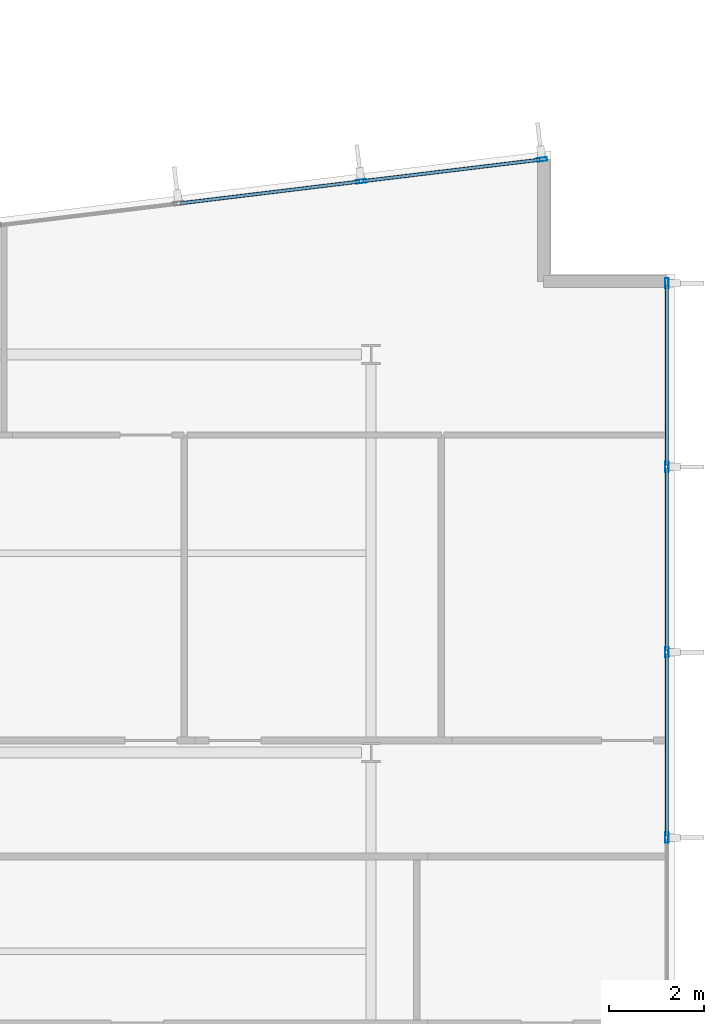
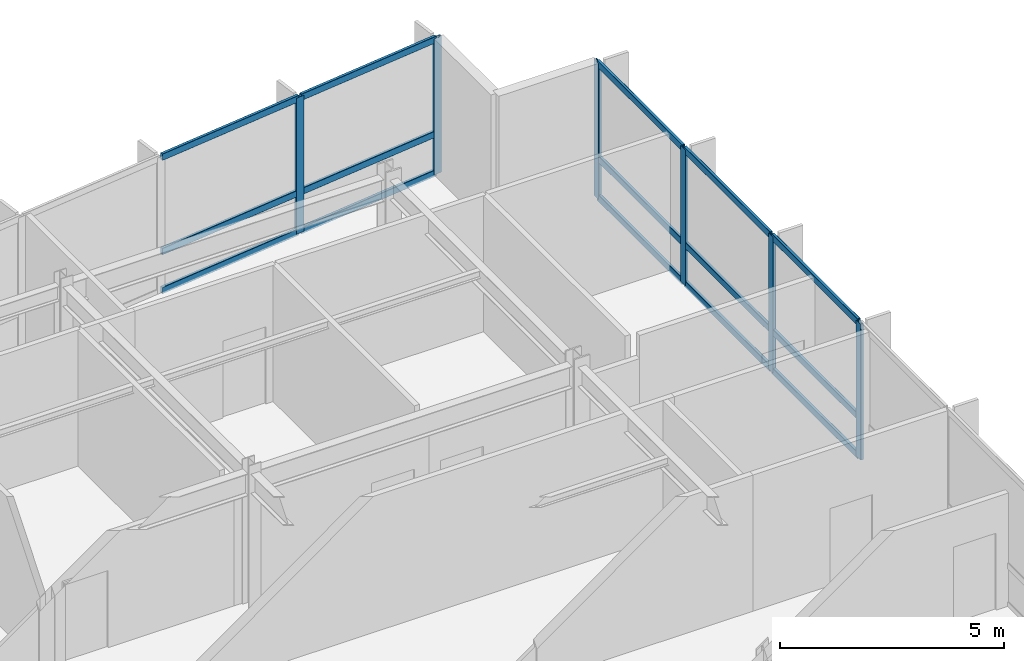
# One storey, part 8 of 19: 21 members, 2 elements without a shape of their own.
"""IFC4 building model written with IfcOpenShell, lengths in metres."""

from ifc_helpers import new_model, si_unit, direction, frame, origin, origin_2d, place, context, subcontext, project, spatial, hollow_rectangle, extrude, material, layer, layer_set, material_profile, profile_set, type_object, element, aggregate, save


model = new_model("IFC4")

# Units and contexts
model_context = context("Model", 3, precision=1e-05, world=origin(), true_north=direction((0.0, 1.0)))
body_context = subcontext(model_context, "Body", "Model", "MODEL_VIEW")
ifc_project = project(units=[si_unit("LENGTHUNIT", "METRE"), si_unit("AREAUNIT", "SQUARE_METRE"), si_unit("VOLUMEUNIT", "CUBIC_METRE"), si_unit("PLANEANGLEUNIT", "RADIAN"), si_unit("MASSUNIT", "GRAM", prefix="KILO")], contexts=[model_context])

# Site, building, storey
site_placement = place(None, origin())
site = spatial("IfcSite", under=ifc_project, at=site_placement, CompositionType="ELEMENT")
building_placement = place(site_placement, origin())
building = spatial("IfcBuilding", under=site, at=building_placement, Name="Varnakote Quay Hospital", CompositionType="ELEMENT")
storey_placement = place(building_placement, frame((0.0, 0.0, 115.199951171875)))
storey = spatial("IfcBuildingStorey", under=building, at=storey_placement, Name="L28", CompositionType="ELEMENT", Elevation=115.199951171875)

# Curtain wall, members
ifc_material_1 = material(Name="Anodised aluminium 6063-T6 Bronze", Category="aluminium")
ifc_layer = layer(ifc_material_1, 0.205078125)
ifc_layer_set = layer_set([ifc_layer], Name="Anodised aluminium 6063-T6 Bronze")
curtain_wall_type = type_object("IfcCurtainWallType", Name="CW-SYS-3", PredefinedType="NOTDEFINED", material=ifc_layer_set)
curtain_wall_1_placement = place(storey_placement, origin())
curtain_wall_1 = element("IfcCurtainWall", 1, at=curtain_wall_1_placement, inside=storey, type_object=curtain_wall_type, Name="L28 Unitised Bronze Curtain Wall 1", PredefinedType="NOTDEFINED")
ifc_material_2 = material(Name="Anodised aluminium 6063-T6 Bronze", Category="aluminium")
ifc_material_profile_1 = material_profile(ifc_material_2, hollow_rectangle(XDim=0.074951171875, YDim=0.219970703125, WallThickness=0.00439453125, InnerFilletRadius=0.00439453125, OuterFilletRadius=0.009033203125, at=origin_2d()), Name="CW-MULL-220x75")
ifc_profile_set_1 = profile_set([ifc_material_profile_1], Name="Anodised aluminium 6063-T6 Bronze")
member_type_1 = type_object("IfcMemberType", Name="CW-MULL-220x75", PredefinedType="MULLION", material=ifc_profile_set_1)
member_1_placement = place(storey_placement, frame((56.639892578125, 18.60009765625, 0.0), z_axis=(0.0, 0.0, 1.0), x_axis=(-1.0, 0.0, 0.0)))
member_1 = element("IfcMember", 2, at=member_1_placement, type_object=member_type_1, Name="-3-L28-1 mullion 4", PredefinedType="MULLION", context=body_context, shape_type="SweptSolid", body=[
    extrude(hollow_rectangle(XDim=0.074951171875, YDim=0.219970703125, WallThickness=0.00439453125, InnerFilletRadius=0.00439453125, OuterFilletRadius=0.009033203125, at=origin_2d()), origin(), (0.0, 0.0, 1.0), 3.7099609375),
])
member_2_placement = place(storey_placement, frame((56.639892578125, 22.513427734375, 0.0), z_axis=(0.0, 0.0, 1.0), x_axis=(-1.0, 0.0, 0.0)))
member_2 = element("IfcMember", 3, at=member_2_placement, type_object=member_type_1, Name="-3-L28-1 mullion 5", PredefinedType="MULLION", context=body_context, shape_type="SweptSolid", body=[
    extrude(hollow_rectangle(XDim=0.074951171875, YDim=0.219970703125, WallThickness=0.00439453125, InnerFilletRadius=0.00439453125, OuterFilletRadius=0.009033203125, at=origin_2d()), origin(), (0.0, 0.0, 1.0), 3.7099609375),
])
member_3_placement = place(storey_placement, frame((56.639892578125, 26.4267578125, 0.0), z_axis=(0.0, 0.0, 1.0), x_axis=(-1.0, 0.0, 0.0)))
member_3 = element("IfcMember", 4, at=member_3_placement, type_object=member_type_1, Name="-3-L28-1 mullion 6", PredefinedType="MULLION", context=body_context, shape_type="SweptSolid", body=[
    extrude(hollow_rectangle(XDim=0.074951171875, YDim=0.219970703125, WallThickness=0.00439453125, InnerFilletRadius=0.00439453125, OuterFilletRadius=0.009033203125, at=origin_2d()), origin(), (0.0, 0.0, 1.0), 3.7099609375),
])
member_4_placement = place(storey_placement, frame((56.639892578125, 30.302490234375, 0.0), z_axis=(0.0, 0.0, 1.0), x_axis=(-1.0, 0.0, 0.0)))
member_4 = element("IfcMember", 5, at=member_4_placement, type_object=member_type_1, Name="-3-L28-1 mullion 7", PredefinedType="MULLION", context=body_context, shape_type="SweptSolid", body=[
    extrude(hollow_rectangle(XDim=0.074951171875, YDim=0.219970703125, WallThickness=0.00439453125, InnerFilletRadius=0.00439453125, OuterFilletRadius=0.009033203125, at=origin_2d()), origin(), (0.0, 0.0, 1.0), 3.7099609375),
])

curtain_wall_2_placement = place(storey_placement, origin())
curtain_wall_2 = element("IfcCurtainWall", 6, at=curtain_wall_2_placement, inside=storey, type_object=curtain_wall_type, Name="L28 Unitised Bronze Curtain Wall 2", PredefinedType="NOTDEFINED")
member_5_placement = place(storey_placement, frame((54.002685546875, 32.914794921875, 0.0), z_axis=(0.0, 0.0, 1.0), x_axis=(0.12032713492, -0.992734295067, 0.0)))
member_5 = element("IfcMember", 7, at=member_5_placement, type_object=member_type_1, Name="-3-L28-2 mullion 1", PredefinedType="MULLION", context=body_context, shape_type="SweptSolid", body=[
    extrude(hollow_rectangle(XDim=0.074951171875, YDim=0.219970703125, WallThickness=0.00439453125, InnerFilletRadius=0.00439453125, OuterFilletRadius=0.009033203125, at=origin_2d()), origin(), (0.0, 0.0, 1.0), 3.7099609375),
])
member_6_placement = place(storey_placement, frame((50.1875, 32.452392578125, 0.0), z_axis=(0.0, 0.0, 1.0), x_axis=(0.12032713492, -0.992734295067, 0.0)))
member_6 = element("IfcMember", 8, at=member_6_placement, type_object=member_type_1, Name="-3-L28-2 mullion 2", PredefinedType="MULLION", context=body_context, shape_type="SweptSolid", body=[
    extrude(hollow_rectangle(XDim=0.074951171875, YDim=0.219970703125, WallThickness=0.00439453125, InnerFilletRadius=0.00439453125, OuterFilletRadius=0.009033203125, at=origin_2d()), origin(), (0.0, 0.0, 1.0), 3.7099609375),
])

# Member
ifc_material_3 = material(Name="Anodised aluminium 6063-T6 Bronze", Category="aluminium")
ifc_material_profile_2 = material_profile(ifc_material_3, hollow_rectangle(XDim=0.074951171875, YDim=0.179931640625, WallThickness=0.004150390625, InnerFilletRadius=0.004150390625, OuterFilletRadius=0.00830078125, at=origin_2d()), Name="CW-TRAN-180x75")
ifc_profile_set_2 = profile_set([ifc_material_profile_2], Name="Anodised aluminium 6063-T6 Bronze")
member_type_2 = type_object("IfcMemberType", Name="CW-TRAN-180x75", PredefinedType="USERDEFINED", material=ifc_profile_set_2)
member_7_placement = place(storey_placement, frame((56.639892578125, 18.637451171875, 0.03759765625), z_axis=(0.0, 1.0, 0.0), x_axis=(-1.0, 0.0, 0.0)))
member_7 = element("IfcMember", 9, at=member_7_placement, type_object=member_type_2, Name="-3-L28-1 transom 4.1", ObjectType="TRANSOM", PredefinedType="USERDEFINED", context=body_context, shape_type="SweptSolid", body=[
    extrude(hollow_rectangle(XDim=0.074951171875, YDim=0.179931640625, WallThickness=0.004150390625, InnerFilletRadius=0.004150390625, OuterFilletRadius=0.00830078125, at=origin_2d()), origin(), (0.0, 0.0, 1.0), 3.83837890625),
])

member_8_placement = place(storey_placement, frame((56.639892578125, 18.637451171875, 1.10009765625), z_axis=(0.0, 1.0, 0.0), x_axis=(-1.0, 0.0, 0.0)))
member_8 = element("IfcMember", 10, at=member_8_placement, type_object=member_type_2, Name="-3-L28-1 transom 4.2", ObjectType="TRANSOM", PredefinedType="USERDEFINED", context=body_context, shape_type="SweptSolid", body=[
    extrude(hollow_rectangle(XDim=0.074951171875, YDim=0.179931640625, WallThickness=0.004150390625, InnerFilletRadius=0.004150390625, OuterFilletRadius=0.00830078125, at=origin_2d()), origin(), (0.0, 0.0, 1.0), 3.83837890625),
])

member_9_placement = place(storey_placement, frame((56.639892578125, 18.637451171875, 3.672607421875), z_axis=(0.0, 1.0, 0.0), x_axis=(-1.0, 0.0, 0.0)))
member_9 = element("IfcMember", 11, at=member_9_placement, type_object=member_type_2, Name="-3-L28-1 transom 4.3", ObjectType="TRANSOM", PredefinedType="USERDEFINED", context=body_context, shape_type="SweptSolid", body=[
    extrude(hollow_rectangle(XDim=0.074951171875, YDim=0.179931640625, WallThickness=0.004150390625, InnerFilletRadius=0.004150390625, OuterFilletRadius=0.00830078125, at=origin_2d()), origin(), (0.0, 0.0, 1.0), 3.83837890625),
])

member_10_placement = place(storey_placement, frame((56.639892578125, 22.55078125, 0.03759765625), z_axis=(0.0, 1.0, 0.0), x_axis=(-1.0, 0.0, 0.0)))
member_10 = element("IfcMember", 12, at=member_10_placement, type_object=member_type_2, Name="-3-L28-1 transom 5.1", ObjectType="TRANSOM", PredefinedType="USERDEFINED", context=body_context, shape_type="SweptSolid", body=[
    extrude(hollow_rectangle(XDim=0.074951171875, YDim=0.179931640625, WallThickness=0.004150390625, InnerFilletRadius=0.004150390625, OuterFilletRadius=0.00830078125, at=origin_2d()), origin(), (0.0, 0.0, 1.0), 3.83837890625),
])

member_11_placement = place(storey_placement, frame((56.639892578125, 22.55078125, 1.10009765625), z_axis=(0.0, 1.0, 0.0), x_axis=(-1.0, 0.0, 0.0)))
member_11 = element("IfcMember", 13, at=member_11_placement, type_object=member_type_2, Name="-3-L28-1 transom 5.2", ObjectType="TRANSOM", PredefinedType="USERDEFINED", context=body_context, shape_type="SweptSolid", body=[
    extrude(hollow_rectangle(XDim=0.074951171875, YDim=0.179931640625, WallThickness=0.004150390625, InnerFilletRadius=0.004150390625, OuterFilletRadius=0.00830078125, at=origin_2d()), origin(), (0.0, 0.0, 1.0), 3.83837890625),
])

member_12_placement = place(storey_placement, frame((56.639892578125, 22.55078125, 3.672607421875), z_axis=(0.0, 1.0, 0.0), x_axis=(-1.0, 0.0, 0.0)))
member_12 = element("IfcMember", 14, at=member_12_placement, type_object=member_type_2, Name="-3-L28-1 transom 5.3", ObjectType="TRANSOM", PredefinedType="USERDEFINED", context=body_context, shape_type="SweptSolid", body=[
    extrude(hollow_rectangle(XDim=0.074951171875, YDim=0.179931640625, WallThickness=0.004150390625, InnerFilletRadius=0.004150390625, OuterFilletRadius=0.00830078125, at=origin_2d()), origin(), (0.0, 0.0, 1.0), 3.83837890625),
])

member_13_placement = place(storey_placement, frame((56.639892578125, 26.464111328125, 0.03759765625), z_axis=(0.0, 1.0, 0.0), x_axis=(-1.0, 0.0, 0.0)))
member_13 = element("IfcMember", 15, at=member_13_placement, type_object=member_type_2, Name="-3-L28-1 transom 6.1", ObjectType="TRANSOM", PredefinedType="USERDEFINED", context=body_context, shape_type="SweptSolid", body=[
    extrude(hollow_rectangle(XDim=0.074951171875, YDim=0.179931640625, WallThickness=0.004150390625, InnerFilletRadius=0.004150390625, OuterFilletRadius=0.00830078125, at=origin_2d()), origin(), (0.0, 0.0, 1.0), 3.80078125),
])

member_14_placement = place(storey_placement, frame((56.639892578125, 26.464111328125, 1.10009765625), z_axis=(0.0, 1.0, 0.0), x_axis=(-1.0, 0.0, 0.0)))
member_14 = element("IfcMember", 16, at=member_14_placement, type_object=member_type_2, Name="-3-L28-1 transom 6.2", ObjectType="TRANSOM", PredefinedType="USERDEFINED", context=body_context, shape_type="SweptSolid", body=[
    extrude(hollow_rectangle(XDim=0.074951171875, YDim=0.179931640625, WallThickness=0.004150390625, InnerFilletRadius=0.004150390625, OuterFilletRadius=0.00830078125, at=origin_2d()), origin(), (0.0, 0.0, 1.0), 3.80078125),
])

member_15_placement = place(storey_placement, frame((56.639892578125, 26.464111328125, 3.672607421875), z_axis=(0.0, 1.0, 0.0), x_axis=(-1.0, 0.0, 0.0)))
member_15 = element("IfcMember", 17, at=member_15_placement, type_object=member_type_2, Name="-3-L28-1 transom 6.3", ObjectType="TRANSOM", PredefinedType="USERDEFINED", context=body_context, shape_type="SweptSolid", body=[
    extrude(hollow_rectangle(XDim=0.074951171875, YDim=0.179931640625, WallThickness=0.004150390625, InnerFilletRadius=0.004150390625, OuterFilletRadius=0.00830078125, at=origin_2d()), origin(), (0.0, 0.0, 1.0), 3.80078125),
])

aggregate(curtain_wall_1, [member_1, member_2, member_3, member_4, member_7, member_8, member_9, member_10, member_11, member_12, member_13, member_14, member_15])

member_16_placement = place(storey_placement, frame((53.965576171875, 32.910400390625, 0.03759765625), z_axis=(-0.992735423717, -0.120317822859, 0.0), x_axis=(0.120317822859, -0.992735423717, 0.0)))
member_16 = element("IfcMember", 18, at=member_16_placement, type_object=member_type_2, Name="-3-L28-2 transom 1.1", ObjectType="TRANSOM", PredefinedType="USERDEFINED", context=body_context, shape_type="SweptSolid", body=[
    extrude(hollow_rectangle(XDim=0.074951171875, YDim=0.179931640625, WallThickness=0.004150390625, InnerFilletRadius=0.004150390625, OuterFilletRadius=0.00830078125, at=origin_2d()), origin(), (0.0, 0.0, 1.0), 3.76806640625),
])

member_17_placement = place(storey_placement, frame((53.965576171875, 32.910400390625, 1.10009765625), z_axis=(-0.992735423717, -0.120317822859, 0.0), x_axis=(0.120317822859, -0.992735423717, 0.0)))
member_17 = element("IfcMember", 19, at=member_17_placement, type_object=member_type_2, Name="-3-L28-2 transom 1.2", ObjectType="TRANSOM", PredefinedType="USERDEFINED", context=body_context, shape_type="SweptSolid", body=[
    extrude(hollow_rectangle(XDim=0.074951171875, YDim=0.179931640625, WallThickness=0.004150390625, InnerFilletRadius=0.004150390625, OuterFilletRadius=0.00830078125, at=origin_2d()), origin(), (0.0, 0.0, 1.0), 3.76806640625),
])

member_18_placement = place(storey_placement, frame((53.965576171875, 32.910400390625, 3.672607421875), z_axis=(-0.992735423717, -0.120317822859, 0.0), x_axis=(0.120317822859, -0.992735423717, 0.0)))
member_18 = element("IfcMember", 20, at=member_18_placement, type_object=member_type_2, Name="-3-L28-2 transom 1.3", ObjectType="TRANSOM", PredefinedType="USERDEFINED", context=body_context, shape_type="SweptSolid", body=[
    extrude(hollow_rectangle(XDim=0.074951171875, YDim=0.179931640625, WallThickness=0.004150390625, InnerFilletRadius=0.004150390625, OuterFilletRadius=0.00830078125, at=origin_2d()), origin(), (0.0, 0.0, 1.0), 3.76806640625),
])

member_19_placement = place(storey_placement, frame((50.150390625, 32.447998046875, 0.03759765625), z_axis=(-0.992731924158, -0.120346694005, 0.0), x_axis=(0.120346694005, -0.992731924158, 0.0)))
member_19 = element("IfcMember", 21, at=member_19_placement, type_object=member_type_2, Name="-3-L28-2 transom 2.1", ObjectType="TRANSOM", PredefinedType="USERDEFINED", context=body_context, shape_type="SweptSolid", body=[
    extrude(hollow_rectangle(XDim=0.074951171875, YDim=0.179931640625, WallThickness=0.004150390625, InnerFilletRadius=0.004150390625, OuterFilletRadius=0.00830078125, at=origin_2d()), origin(), (0.0, 0.0, 1.0), 3.8056640625),
])

member_20_placement = place(storey_placement, frame((50.150390625, 32.447998046875, 1.10009765625), z_axis=(-0.992731924158, -0.120346694005, 0.0), x_axis=(0.120346694005, -0.992731924158, 0.0)))
member_20 = element("IfcMember", 22, at=member_20_placement, type_object=member_type_2, Name="-3-L28-2 transom 2.2", ObjectType="TRANSOM", PredefinedType="USERDEFINED", context=body_context, shape_type="SweptSolid", body=[
    extrude(hollow_rectangle(XDim=0.074951171875, YDim=0.179931640625, WallThickness=0.004150390625, InnerFilletRadius=0.004150390625, OuterFilletRadius=0.00830078125, at=origin_2d()), origin(), (0.0, 0.0, 1.0), 3.8056640625),
])

member_21_placement = place(storey_placement, frame((50.150390625, 32.447998046875, 3.672607421875), z_axis=(-0.992731924158, -0.120346694005, 0.0), x_axis=(0.120346694005, -0.992731924158, 0.0)))
member_21 = element("IfcMember", 23, at=member_21_placement, type_object=member_type_2, Name="-3-L28-2 transom 2.3", ObjectType="TRANSOM", PredefinedType="USERDEFINED", context=body_context, shape_type="SweptSolid", body=[
    extrude(hollow_rectangle(XDim=0.074951171875, YDim=0.179931640625, WallThickness=0.004150390625, InnerFilletRadius=0.004150390625, OuterFilletRadius=0.00830078125, at=origin_2d()), origin(), (0.0, 0.0, 1.0), 3.8056640625),
])

aggregate(curtain_wall_2, [member_5, member_6, member_16, member_17, member_18, member_19, member_20, member_21])

save(model, "model.ifc")
